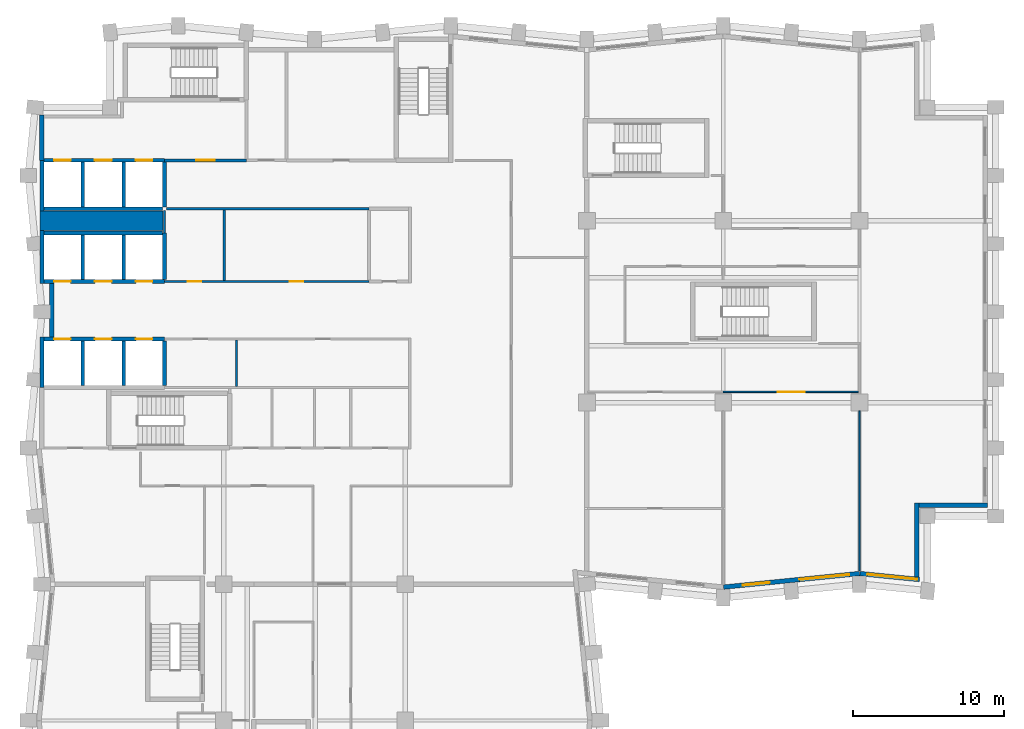
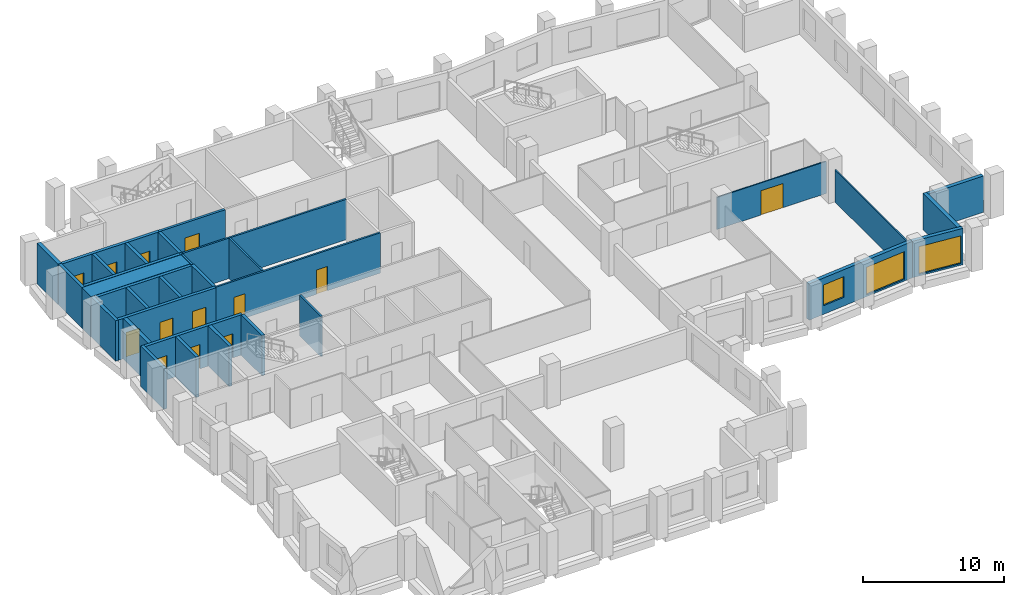
# One storey, part 5 of 10: 32 walls, 13 doors, 3 windows, 16 openings.
"""IFC4 building model written with IfcOpenShell, lengths in metres."""

from ifc_helpers import new_model, si_unit, direction, frame, frame_2d, origin, place, context, subcontext, project, spatial, rectangle, extrude, material, layer, layer_set, type_object, element, fill, save


model = new_model("IFC4")

# Units and contexts
model_context = context("Model", 3, precision=1e-05, world=origin(), true_north=direction((0.0, 1.0)))
body_context = subcontext(model_context, "Body", "Model", "MODEL_VIEW")
ifc_project = project(units=[si_unit("LENGTHUNIT", "METRE"), si_unit("AREAUNIT", "SQUARE_METRE"), si_unit("VOLUMEUNIT", "CUBIC_METRE"), si_unit("PLANEANGLEUNIT", "RADIAN"), si_unit("MASSUNIT", "GRAM", prefix="KILO")], contexts=[model_context])

# Site, building, storey
site_placement = place(None, origin())
site = spatial("IfcSite", under=ifc_project, at=site_placement, CompositionType="ELEMENT")
building_placement = place(site_placement, origin())
building = spatial("IfcBuilding", under=site, at=building_placement, Name="Brondeck Convention Tower", CompositionType="ELEMENT")
storey_placement = place(building_placement, frame((0.0, 0.0, 185.199951171875)))
storey = spatial("IfcBuildingStorey", under=building, at=storey_placement, Name="L45", CompositionType="ELEMENT", Elevation=185.199951171875)

# Walls
ifc_material_1 = material(Name="Concrete C70/85", Category="concrete")
ifc_layer_1 = layer(ifc_material_1, 0.300048828125)
ifc_layer_set_1 = layer_set([ifc_layer_1], Name="Core outer wall 300 Concrete C70/85")
wall_type_1 = type_object("IfcWallType", Name="Core outer wall 300 Concrete C70/85", PredefinedType="SHEAR", material=ifc_layer_set_1)
wall_1_placement = place(storey_placement, frame((0.0, 55.0, 0.0), z_axis=(0.0, 0.0, 1.0), x_axis=(0.0, 1.0, 0.0)))
element("IfcWall", 1, at=wall_1_placement, inside=storey, type_object=wall_type_1, Name="L45 core wall", PredefinedType="SHEAR", context=body_context, shape_type="SweptSolid", body=[
    extrude(rectangle(XDim=3.0, YDim=0.300048828125, at=frame_2d((1.5, 0.0))), origin(), (0.0, 0.0, 1.0), 3.5),
])
wall_2_placement = place(storey_placement, frame((0.64990234375, 43.324951171875, 0.0), z_axis=(0.0, 0.0, 1.0), x_axis=(0.0, 1.0, 0.0)))
element("IfcWall", 2, at=wall_2_placement, inside=storey, type_object=wall_type_1, Name="L45 core wall", PredefinedType="SHEAR", context=body_context, shape_type="SweptSolid", body=[
    extrude(rectangle(XDim=3.550048828125, YDim=0.300048828125, at=frame_2d((1.77490234375, 0.0))), origin(), (0.0, 0.0, 1.0), 3.5),
])

# Wall, openings, doors
ifc_material_2 = material(Name="Fire-rated gypsum board partition")
ifc_layer_2 = layer(ifc_material_2, 0.14990234375)
ifc_layer_set_2 = layer_set([ifc_layer_2], Name="Core partition 150 EI 60")
wall_type_2 = type_object("IfcWallType", Name="Core partition 150 EI 60", PredefinedType="PARTITIONING", material=ifc_layer_set_2)
wall_3_placement = place(storey_placement, frame((8.10009765625, 47.0, 0.0), z_axis=(0.0, 0.0, 1.0), x_axis=(1.0, 0.0, 0.0)))
wall_3 = element("IfcWall", 3, at=wall_3_placement, inside=storey, type_object=wall_type_2, Name="L45 core wall", PredefinedType="PARTITIONING", context=body_context, shape_type="SweptSolid", body=[
    extrude(rectangle(XDim=13.5, YDim=0.14990234375, at=frame_2d((6.75, 0.0))), origin(), (0.0, 0.0, 1.0), 3.5),
])
opening_1_placement = place(wall_3_placement, frame((1.52490234375, 0.0, 0.0)))
opening_1 = element("IfcOpeningElement", 4, at=opening_1_placement, cuts=wall_3, Name="Opening C25-08", PredefinedType="OPENING", context=body_context, shape_type="SweptSolid", body=[
    extrude(rectangle(XDim=0.89990234375, YDim=2.10009765625, at=frame_2d((0.449951171875, 1.050048828125))), frame((0.0, 0.0849609375, 0.0), z_axis=(0.0, -1.0, 0.0), x_axis=(1.0, 0.0, 0.0)), (0.0, 0.0, 1.0), 0.169921875),
])
opening_2_placement = place(wall_3_placement, frame((8.27490234375, 0.0, 0.0)))
opening_2 = element("IfcOpeningElement", 5, at=opening_2_placement, cuts=wall_3, Name="Opening C25-09", PredefinedType="OPENING", context=body_context, shape_type="SweptSolid", body=[
    extrude(rectangle(XDim=0.89990234375, YDim=2.10009765625, at=frame_2d((0.449951171875, 1.050048828125))), frame((0.0, 0.0849609375, 0.0), z_axis=(0.0, -1.0, 0.0), x_axis=(1.0, 0.0, 0.0)), (0.0, 0.0, 1.0), 0.169921875),
])
ifc_material_3 = material(Name="Steel fire door", Category="steel")
door_type_1 = type_object("IfcDoorType", Name="Room door 900x2100 EI 60", OperationType="NOTDEFINED", PredefinedType="DOOR", material=ifc_material_3)
door_1_placement = place(opening_1_placement, origin())
door_1 = element("IfcDoor", 6, at=door_1_placement, inside=storey, type_object=door_type_1, Name="L45 Room door FZ-N-8.1-1", OperationType="SINGLE_SWING_LEFT", OverallHeight=2.10009765625, OverallWidth=0.89990234375, PredefinedType="DOOR", context=body_context, shape_type="SweptSolid", body=[
    extrude(rectangle(XDim=0.89990234375, YDim=2.10009765625, at=frame_2d((0.449951171875, 1.050048828125))), frame((0.0, 0.02490234375, 0.0), z_axis=(0.0, -1.0, 0.0), x_axis=(1.0, 0.0, 0.0)), (0.0, 0.0, 1.0), 0.050048828125),
])
fill(opening_1, door_1)
door_2_placement = place(opening_2_placement, origin())
door_2 = element("IfcDoor", 7, at=door_2_placement, inside=storey, type_object=door_type_1, Name="L45 Room door FZ-N-8.1-2", OperationType="SINGLE_SWING_RIGHT", OverallHeight=2.10009765625, OverallWidth=0.89990234375, PredefinedType="DOOR", context=body_context, shape_type="SweptSolid", body=[
    extrude(rectangle(XDim=0.89990234375, YDim=2.10009765625, at=frame_2d((0.449951171875, 1.050048828125))), frame((0.0, 0.02490234375, 0.0), z_axis=(0.0, -1.0, 0.0), x_axis=(1.0, 0.0, 0.0)), (0.0, 0.0, 1.0), 0.050048828125),
])
fill(opening_2, door_2)

# Walls
wall_4_placement = place(storey_placement, frame((8.22509765625, 51.800048828125, 0.0), z_axis=(0.0, 0.0, 1.0), x_axis=(1.0, 0.0, 0.0)))
element("IfcWall", 8, at=wall_4_placement, inside=storey, type_object=wall_type_2, Name="L45 core wall", PredefinedType="PARTITIONING", context=body_context, shape_type="SweptSolid", body=[
    extrude(rectangle(XDim=13.375, YDim=0.14990234375, at=frame_2d((6.6875, 0.0))), origin(), (0.0, 0.0, 1.0), 3.5),
])
wall_5_placement = place(storey_placement, frame((8.10009765625, 50.199951171875, 0.0), z_axis=(0.0, 0.0, 1.0), x_axis=(0.0, 1.0, 0.0)))
element("IfcWall", 9, at=wall_5_placement, inside=storey, type_object=wall_type_2, Name="L45 core wall", PredefinedType="PARTITIONING", context=body_context, shape_type="SweptSolid", body=[
    extrude(rectangle(XDim=1.47509765625, YDim=0.14990234375, at=frame_2d((0.737548828125, 0.0))), origin(), (0.0, 0.0, 1.0), 3.5),
])
wall_6_placement = place(storey_placement, frame((12.050048828125, 47.074951171875, 0.0), z_axis=(0.0, 0.0, 1.0), x_axis=(0.0, 1.0, 0.0)))
element("IfcWall", 10, at=wall_6_placement, inside=storey, type_object=wall_type_2, Name="L45 core wall", PredefinedType="PARTITIONING", context=body_context, shape_type="SweptSolid", body=[
    extrude(rectangle(XDim=4.650146484375, YDim=0.14990234375, at=frame_2d((2.3251953125, 0.0))), origin(), (0.0, 0.0, 1.0), 3.5),
])
wall_7_placement = place(storey_placement, frame((12.85009765625, 40.074951171875, 0.0), z_axis=(0.0, 0.0, 1.0), x_axis=(0.0, 1.0, 0.0)))
element("IfcWall", 11, at=wall_7_placement, inside=storey, type_object=wall_type_2, Name="L45 core wall", PredefinedType="PARTITIONING", context=body_context, shape_type="SweptSolid", body=[
    extrude(rectangle(XDim=3.050048828125, YDim=0.14990234375, at=frame_2d((1.52490234375, 0.0))), origin(), (0.0, 0.0, 1.0), 3.5),
])
ifc_layer_3 = layer(ifc_material_1, 1.300048828125)
ifc_layer_set_3 = layer_set([ifc_layer_3], Name="Core shear wall 1300 Concrete C70/85")
wall_type_3 = type_object("IfcWallType", Name="Core shear wall 1300 Concrete C70/85", PredefinedType="SHEAR", material=ifc_layer_set_3)
wall_8_placement = place(storey_placement, frame((-0.125, 51.0, 0.0), z_axis=(0.0, 0.0, 1.0), x_axis=(1.0, 0.0, 0.0)))
element("IfcWall", 12, at=wall_8_placement, inside=storey, type_object=wall_type_3, Name="L45 core wall", PredefinedType="SHEAR", context=body_context, shape_type="SweptSolid", body=[
    extrude(rectangle(XDim=8.125, YDim=1.300048828125, at=frame_2d((4.0625, 0.0))), origin(), (0.0, 0.0, 1.0), 3.5),
])

# Wall, openings, windows
ifc_material_4 = material(Name="Precast concrete C50/60 bronze finish", Category="concrete")
ifc_layer_4 = layer(ifc_material_4, 0.070068359375, Name="Bronze precast facing")
ifc_material_5 = material(Name="Mineral wool")
ifc_layer_5 = layer(ifc_material_5, 0.159912109375, Name="Insulation")
ifc_material_6 = material(Name="Concrete C35/45", Category="concrete")
ifc_layer_6 = layer(ifc_material_6, 0.070068359375, Name="Backing")
ifc_layer_set_4 = layer_set([ifc_layer_4, ifc_layer_5, ifc_layer_6], Name="External infill wall, precast concrete C50/60 bronze facing")
wall_type_4 = type_object("IfcWallType", Name="External infill wall, precast concrete C50/60 bronze facing", PredefinedType="SOLIDWALL", material=ifc_layer_set_4)
wall_9_placement = place(storey_placement, frame((54.014892578125, 27.705078125, 0.0), z_axis=(0.0, 0.0, 1.0), x_axis=(-0.995035316196, -0.099522457379, 0.0)))
wall_9 = element("IfcWall", 13, at=wall_9_placement, inside=storey, type_object=wall_type_4, Name="ENV-EW-L45-P1-A-S-02", PredefinedType="SOLIDWALL", context=body_context, shape_type="SweptSolid", body=[
    extrude(rectangle(XDim=9.030029296875, YDim=0.300048828125, at=frame_2d((4.51513671875, 0.0))), origin(), (0.0, 0.0, 1.0), 3.150146484375),
])
opening_3_placement = place(wall_9_placement, frame((0.6962890625, 0.0, 0.14990234375)))
opening_3 = element("IfcOpeningElement", 14, at=opening_3_placement, cuts=wall_9, Name="Opening W9", PredefinedType="OPENING", context=body_context, shape_type="SweptSolid", body=[
    extrude(rectangle(XDim=3.300048828125, YDim=2.39990234375, at=frame_2d((1.64990234375, 1.199951171875))), frame((0.0, 0.159912109375, 0.0), z_axis=(0.0, -1.0, 0.0), x_axis=(1.0, 0.0, 0.0)), (0.0, 0.0, 1.0), 0.320068359375),
])
opening_4_placement = place(wall_9_placement, frame((5.968505859375, 0.0, 0.75)))
opening_4 = element("IfcOpeningElement", 15, at=opening_4_placement, cuts=wall_9, Name="Opening W10", PredefinedType="OPENING", context=body_context, shape_type="SweptSolid", body=[
    extrude(rectangle(XDim=1.800048828125, YDim=1.800048828125, at=frame_2d((0.89990234375, 0.89990234375))), frame((0.0, 0.159912109375, 0.0), z_axis=(0.0, -1.0, 0.0), x_axis=(1.0, 0.0, 0.0)), (0.0, 0.0, 1.0), 0.320068359375),
])
ifc_material_7 = material(Name="Bronze tinted double glazing", Category="glass")
window_type_1 = type_object("IfcWindowType", Name="Glazed flute window, bronze tinted", PartitioningType="SINGLE_PANEL", PredefinedType="WINDOW", material=ifc_material_7)
window_1_placement = place(opening_3_placement, origin())
window_1 = element("IfcWindow", 16, at=window_1_placement, inside=storey, type_object=window_type_1, Name="ENV-WN-L45-P1-A-S-03", OverallHeight=2.39990234375, OverallWidth=3.300048828125, PartitioningType="SINGLE_PANEL", PredefinedType="WINDOW", context=body_context, shape_type="SweptSolid", body=[
    extrude(rectangle(XDim=3.300048828125, YDim=2.39990234375, at=frame_2d((1.64990234375, 1.199951171875))), frame((0.0, 0.030029296875, 0.0), z_axis=(0.0, -1.0, 0.0), x_axis=(1.0, 0.0, 0.0)), (0.0, 0.0, 1.0), 0.06005859375),
])
fill(opening_3, window_1)
window_type_2 = type_object("IfcWindowType", Name="Punched window, bronze tinted", PartitioningType="SINGLE_PANEL", PredefinedType="WINDOW", material=ifc_material_7)
window_2_placement = place(opening_4_placement, origin())
window_2 = element("IfcWindow", 17, at=window_2_placement, inside=storey, type_object=window_type_2, Name="ENV-WN-L45-P1-A-S-02", OverallHeight=1.800048828125, OverallWidth=1.800048828125, PartitioningType="SINGLE_PANEL", PredefinedType="WINDOW", context=body_context, shape_type="SweptSolid", body=[
    extrude(rectangle(XDim=1.800048828125, YDim=1.800048828125, at=frame_2d((0.89990234375, 0.89990234375))), frame((0.0, 0.030029296875, 0.0), z_axis=(0.0, -1.0, 0.0), x_axis=(1.0, 0.0, 0.0)), (0.0, 0.0, 1.0), 0.06005859375),
])
fill(opening_4, window_2)

# Wall, opening, window
wall_10_placement = place(storey_placement, frame((57.96484375, 27.306884765625, 0.0), z_axis=(0.0, 0.0, 1.0), x_axis=(-0.99503596767, 0.099515943658, 0.0)))
wall_10 = element("IfcWall", 18, at=wall_10_placement, inside=storey, type_object=wall_type_4, Name="ENV-EW-L45-P1-A-S-04", PredefinedType="SOLIDWALL", context=body_context, shape_type="SweptSolid", body=[
    extrude(rectangle(XDim=3.95458984375, YDim=0.300048828125, at=frame_2d((1.977294921875, 0.0))), origin(), (0.0, 0.0, 1.0), 3.150146484375),
])
opening_5_placement = place(wall_10_placement, frame((0.14990234375, 0.0, 0.14990234375)))
opening_5 = element("IfcOpeningElement", 19, at=opening_5_placement, cuts=wall_10, Name="Opening W9", PredefinedType="OPENING", context=body_context, shape_type="SweptSolid", body=[
    extrude(rectangle(XDim=3.300048828125, YDim=2.39990234375, at=frame_2d((1.64990234375, 1.199951171875))), frame((0.0, 0.159912109375, 0.0), z_axis=(0.0, -1.0, 0.0), x_axis=(1.0, 0.0, 0.0)), (0.0, 0.0, 1.0), 0.320068359375),
])
window_3_placement = place(opening_5_placement, origin())
window_3 = element("IfcWindow", 20, at=window_3_placement, inside=storey, type_object=window_type_1, Name="ENV-WN-L45-P1-A-S-04", OverallHeight=2.39990234375, OverallWidth=3.300048828125, PartitioningType="SINGLE_PANEL", PredefinedType="WINDOW", context=body_context, shape_type="SweptSolid", body=[
    extrude(rectangle(XDim=3.300048828125, YDim=2.39990234375, at=frame_2d((1.64990234375, 1.199951171875))), frame((0.0, 0.030029296875, 0.0), z_axis=(0.0, -1.0, 0.0), x_axis=(1.0, 0.0, 0.0)), (0.0, 0.0, 1.0), 0.06005859375),
])
fill(opening_5, window_3)

# Walls
wall_11_placement = place(storey_placement, frame((57.800048828125, 32.35009765625, 0.0), z_axis=(0.0, 0.0, 1.0), x_axis=(0.0, -1.0, 0.0)))
element("IfcWall", 21, at=wall_11_placement, inside=storey, type_object=wall_type_4, Name="ENV-EW-L45-P1-NC-SEA63-01", PredefinedType="SOLIDWALL", context=body_context, shape_type="SweptSolid", body=[
    extrude(rectangle(XDim=4.87060546875, YDim=0.300048828125, at=frame_2d((2.435302734375, 0.0))), origin(), (0.0, 0.0, 1.0), 3.150146484375),
])
wall_12_placement = place(storey_placement, frame((62.449951171875, 32.199951171875, 0.0), z_axis=(0.0, 0.0, 1.0), x_axis=(-1.0, 0.0, 0.0)))
element("IfcWall", 22, at=wall_12_placement, inside=storey, type_object=wall_type_4, Name="ENV-EW-L45-P1-NC-SEA63-02", PredefinedType="SOLIDWALL", context=body_context, shape_type="SweptSolid", body=[
    extrude(rectangle(XDim=4.501953125, YDim=0.300048828125, at=frame_2d((2.2509765625, 0.0))), origin(), (0.0, 0.0, 1.0), 3.150146484375),
])

# Wall, opening, door
ifc_layer_7 = layer(ifc_material_2, 0.199951171875)
ifc_layer_set_5 = layer_set([ifc_layer_7], Name="Firefighting lobby wall 200 EI 120")
wall_type_5 = type_object("IfcWallType", Name="Firefighting lobby wall 200 EI 120", PredefinedType="PARTITIONING", material=ifc_layer_set_5)
wall_13_placement = place(storey_placement, frame((8.10009765625, 55.0, 0.0), z_axis=(0.0, 0.0, 1.0), x_axis=(1.0, 0.0, 0.0)))
wall_13 = element("IfcWall", 23, at=wall_13_placement, inside=storey, type_object=wall_type_5, Name="L45 core wall", PredefinedType="PARTITIONING", context=body_context, shape_type="SweptSolid", body=[
    extrude(rectangle(XDim=5.39990234375, YDim=0.199951171875, at=frame_2d((2.699951171875, 0.0))), origin(), (0.0, 0.0, 1.0), 3.5),
])
opening_6_placement = place(wall_13_placement, frame((2.10009765625, 0.0, 0.0)))
opening_6 = element("IfcOpeningElement", 24, at=opening_6_placement, cuts=wall_13, Name="Opening C25-01", PredefinedType="OPENING", context=body_context, shape_type="SweptSolid", body=[
    extrude(rectangle(XDim=1.199951171875, YDim=2.199951171875, at=frame_2d((0.60009765625, 1.10009765625))), frame((0.0, 0.10986328125, 0.0), z_axis=(0.0, -1.0, 0.0), x_axis=(1.0, 0.0, 0.0)), (0.0, 0.0, 1.0), 0.219970703125),
])
door_type_2 = type_object("IfcDoorType", Name="Firefighting lobby door 1200x2200 EI 120", OperationType="NOTDEFINED", PredefinedType="DOOR", material=ifc_material_3)
door_3_placement = place(opening_6_placement, origin())
door_3 = element("IfcDoor", 25, at=door_3_placement, inside=storey, type_object=door_type_2, Name="L45 Firefighting lobby door FFL-1", OperationType="SINGLE_SWING_RIGHT", OverallHeight=2.199951171875, OverallWidth=1.199951171875, PredefinedType="DOOR", context=body_context, shape_type="SweptSolid", body=[
    extrude(rectangle(XDim=1.199951171875, YDim=2.199951171875, at=frame_2d((0.60009765625, 1.10009765625))), frame((0.0, 0.02490234375, 0.0), z_axis=(0.0, -1.0, 0.0), x_axis=(1.0, 0.0, 0.0)), (0.0, 0.0, 1.0), 0.050048828125),
])
fill(opening_6, door_3)

# Wall, openings, doors
ifc_layer_8 = layer(ifc_material_1, 0.25)
ifc_layer_set_6 = layer_set([ifc_layer_8], Name="Lift shaft wall 250 Concrete C70/85")
wall_type_6 = type_object("IfcWallType", Name="Lift shaft wall 250 Concrete C70/85", PredefinedType="SHEAR", material=ifc_layer_set_6)
wall_14_placement = place(storey_placement, frame((0.125, 43.199951171875, 0.0), z_axis=(0.0, 0.0, 1.0), x_axis=(1.0, 0.0, 0.0)))
wall_14 = element("IfcWall", 26, at=wall_14_placement, inside=storey, type_object=wall_type_6, Name="L45 core wall", PredefinedType="SHEAR", context=body_context, shape_type="SweptSolid", body=[
    extrude(rectangle(XDim=7.97509765625, YDim=0.25, at=frame_2d((3.987548828125, 0.0))), origin(), (0.0, 0.0, 1.0), 3.5),
])
opening_7_placement = place(wall_14_placement, frame((0.675048828125, 0.0, 0.0)))
opening_7 = element("IfcOpeningElement", 27, at=opening_7_placement, cuts=wall_14, Name="Opening C25-24", PredefinedType="OPENING", context=body_context, shape_type="SweptSolid", body=[
    extrude(rectangle(XDim=1.10009765625, YDim=2.10009765625, at=frame_2d((0.550048828125, 1.050048828125))), frame((0.0, 0.135009765625, 0.0), z_axis=(0.0, -1.0, 0.0), x_axis=(1.0, 0.0, 0.0)), (0.0, 0.0, 1.0), 0.27001953125),
])
opening_8_placement = place(wall_14_placement, frame((3.375, 0.0, 0.0)))
opening_8 = element("IfcOpeningElement", 28, at=opening_8_placement, cuts=wall_14, Name="Opening C25-25", PredefinedType="OPENING", context=body_context, shape_type="SweptSolid", body=[
    extrude(rectangle(XDim=1.10009765625, YDim=2.10009765625, at=frame_2d((0.550048828125, 1.050048828125))), frame((0.0, 0.135009765625, 0.0), z_axis=(0.0, -1.0, 0.0), x_axis=(1.0, 0.0, 0.0)), (0.0, 0.0, 1.0), 0.27001953125),
])
opening_9_placement = place(wall_14_placement, frame((6.074951171875, 0.0, 0.0)))
opening_9 = element("IfcOpeningElement", 29, at=opening_9_placement, cuts=wall_14, Name="Opening C25-26", PredefinedType="OPENING", context=body_context, shape_type="SweptSolid", body=[
    extrude(rectangle(XDim=1.10009765625, YDim=2.10009765625, at=frame_2d((0.550048828125, 1.050048828125))), frame((0.0, 0.135009765625, 0.0), z_axis=(0.0, -1.0, 0.0), x_axis=(1.0, 0.0, 0.0)), (0.0, 0.0, 1.0), 0.27001953125),
])
ifc_material_8 = material(Name="Stainless steel lift door", Category="steel")
door_type_3 = type_object("IfcDoorType", Name="Lift landing door 1100x2100 EI 180", OperationType="DOUBLE_DOOR_SLIDING", PredefinedType="DOOR", material=ifc_material_8)
door_4_placement = place(opening_7_placement, origin())
door_4 = element("IfcDoor", 30, at=door_4_placement, inside=storey, type_object=door_type_3, Name="L45 Lift landing door HR1", OperationType="DOUBLE_DOOR_SLIDING", OverallHeight=2.10009765625, OverallWidth=1.10009765625, PredefinedType="DOOR", context=body_context, shape_type="SweptSolid", body=[
    extrude(rectangle(XDim=1.10009765625, YDim=2.10009765625, at=frame_2d((0.550048828125, 1.050048828125))), frame((0.0, 0.02490234375, 0.0), z_axis=(0.0, -1.0, 0.0), x_axis=(1.0, 0.0, 0.0)), (0.0, 0.0, 1.0), 0.050048828125),
])
fill(opening_7, door_4)
door_5_placement = place(opening_8_placement, origin())
door_5 = element("IfcDoor", 31, at=door_5_placement, inside=storey, type_object=door_type_3, Name="L45 Lift landing door HR2", OperationType="DOUBLE_DOOR_SLIDING", OverallHeight=2.10009765625, OverallWidth=1.10009765625, PredefinedType="DOOR", context=body_context, shape_type="SweptSolid", body=[
    extrude(rectangle(XDim=1.10009765625, YDim=2.10009765625, at=frame_2d((0.550048828125, 1.050048828125))), frame((0.0, 0.02490234375, 0.0), z_axis=(0.0, -1.0, 0.0), x_axis=(1.0, 0.0, 0.0)), (0.0, 0.0, 1.0), 0.050048828125),
])
fill(opening_8, door_5)
door_6_placement = place(opening_9_placement, origin())
door_6 = element("IfcDoor", 32, at=door_6_placement, inside=storey, type_object=door_type_3, Name="L45 Lift landing door HR3", OperationType="DOUBLE_DOOR_SLIDING", OverallHeight=2.10009765625, OverallWidth=1.10009765625, PredefinedType="DOOR", context=body_context, shape_type="SweptSolid", body=[
    extrude(rectangle(XDim=1.10009765625, YDim=2.10009765625, at=frame_2d((0.550048828125, 1.050048828125))), frame((0.0, 0.02490234375, 0.0), z_axis=(0.0, -1.0, 0.0), x_axis=(1.0, 0.0, 0.0)), (0.0, 0.0, 1.0), 0.050048828125),
])
fill(opening_9, door_6)

wall_15_placement = place(storey_placement, frame((0.125, 47.0, 0.0), z_axis=(0.0, 0.0, 1.0), x_axis=(1.0, 0.0, 0.0)))
wall_15 = element("IfcWall", 33, at=wall_15_placement, inside=storey, type_object=wall_type_6, Name="L45 core wall", PredefinedType="SHEAR", context=body_context, shape_type="SweptSolid", body=[
    extrude(rectangle(XDim=7.97509765625, YDim=0.25, at=frame_2d((3.987548828125, 0.0))), origin(), (0.0, 0.0, 1.0), 3.5),
])
opening_10_placement = place(wall_15_placement, frame((0.675048828125, 0.0, 0.0)))
opening_10 = element("IfcOpeningElement", 34, at=opening_10_placement, cuts=wall_15, Name="Opening C25-27", PredefinedType="OPENING", context=body_context, shape_type="SweptSolid", body=[
    extrude(rectangle(XDim=1.10009765625, YDim=2.10009765625, at=frame_2d((0.550048828125, 1.050048828125))), frame((0.0, 0.135009765625, 0.0), z_axis=(0.0, -1.0, 0.0), x_axis=(1.0, 0.0, 0.0)), (0.0, 0.0, 1.0), 0.27001953125),
])
opening_11_placement = place(wall_15_placement, frame((3.375, 0.0, 0.0)))
opening_11 = element("IfcOpeningElement", 35, at=opening_11_placement, cuts=wall_15, Name="Opening C25-28", PredefinedType="OPENING", context=body_context, shape_type="SweptSolid", body=[
    extrude(rectangle(XDim=1.10009765625, YDim=2.10009765625, at=frame_2d((0.550048828125, 1.050048828125))), frame((0.0, 0.135009765625, 0.0), z_axis=(0.0, -1.0, 0.0), x_axis=(1.0, 0.0, 0.0)), (0.0, 0.0, 1.0), 0.27001953125),
])
opening_12_placement = place(wall_15_placement, frame((6.074951171875, 0.0, 0.0)))
opening_12 = element("IfcOpeningElement", 36, at=opening_12_placement, cuts=wall_15, Name="Opening C25-29", PredefinedType="OPENING", context=body_context, shape_type="SweptSolid", body=[
    extrude(rectangle(XDim=1.10009765625, YDim=2.10009765625, at=frame_2d((0.550048828125, 1.050048828125))), frame((0.0, 0.135009765625, 0.0), z_axis=(0.0, -1.0, 0.0), x_axis=(1.0, 0.0, 0.0)), (0.0, 0.0, 1.0), 0.27001953125),
])
door_7_placement = place(opening_10_placement, origin())
door_7 = element("IfcDoor", 37, at=door_7_placement, inside=storey, type_object=door_type_3, Name="L45 Lift landing door HR4", OperationType="DOUBLE_DOOR_SLIDING", OverallHeight=2.10009765625, OverallWidth=1.10009765625, PredefinedType="DOOR", context=body_context, shape_type="SweptSolid", body=[
    extrude(rectangle(XDim=1.10009765625, YDim=2.10009765625, at=frame_2d((0.550048828125, 1.050048828125))), frame((0.0, 0.02490234375, 0.0), z_axis=(0.0, -1.0, 0.0), x_axis=(1.0, 0.0, 0.0)), (0.0, 0.0, 1.0), 0.050048828125),
])
fill(opening_10, door_7)
door_8_placement = place(opening_11_placement, origin())
door_8 = element("IfcDoor", 38, at=door_8_placement, inside=storey, type_object=door_type_3, Name="L45 Lift landing door HR5", OperationType="DOUBLE_DOOR_SLIDING", OverallHeight=2.10009765625, OverallWidth=1.10009765625, PredefinedType="DOOR", context=body_context, shape_type="SweptSolid", body=[
    extrude(rectangle(XDim=1.10009765625, YDim=2.10009765625, at=frame_2d((0.550048828125, 1.050048828125))), frame((0.0, 0.02490234375, 0.0), z_axis=(0.0, -1.0, 0.0), x_axis=(1.0, 0.0, 0.0)), (0.0, 0.0, 1.0), 0.050048828125),
])
fill(opening_11, door_8)
door_9_placement = place(opening_12_placement, origin())
door_9 = element("IfcDoor", 39, at=door_9_placement, inside=storey, type_object=door_type_3, Name="L45 Lift landing door HR6", OperationType="DOUBLE_DOOR_SLIDING", OverallHeight=2.10009765625, OverallWidth=1.10009765625, PredefinedType="DOOR", context=body_context, shape_type="SweptSolid", body=[
    extrude(rectangle(XDim=1.10009765625, YDim=2.10009765625, at=frame_2d((0.550048828125, 1.050048828125))), frame((0.0, 0.02490234375, 0.0), z_axis=(0.0, -1.0, 0.0), x_axis=(1.0, 0.0, 0.0)), (0.0, 0.0, 1.0), 0.050048828125),
])
fill(opening_12, door_9)

# Walls
for number, where, z_axis, x_axis, name in (
    (40, (0.125, 50.199951171875, 0.0), (0.0, 0.0, 1.0), (1.0, 0.0, 0.0), "L45 core wall"),
    (41, (0.125, 51.800048828125, 0.0), (0.0, 0.0, 1.0), (1.0, 0.0, 0.0), "L45 core wall"),
):
    element("IfcWall", number, at=place(storey_placement, frame(where, z_axis=z_axis, x_axis=x_axis)), inside=storey, type_object=wall_type_6, Name=name, PredefinedType="SHEAR", context=body_context, shape_type="SweptSolid", body=[
        extrude(rectangle(XDim=7.85009765625, YDim=0.25, at=frame_2d((3.925048828125, 0.0))), origin(), (0.0, 0.0, 1.0), 3.5),
    ])

# Wall, openings, doors
wall_16_placement = place(storey_placement, frame((0.14990234375, 55.0, 0.0), z_axis=(0.0, 0.0, 1.0), x_axis=(1.0, 0.0, 0.0)))
wall_16 = element("IfcWall", 42, at=wall_16_placement, inside=storey, type_object=wall_type_6, Name="L45 core wall", PredefinedType="SHEAR", context=body_context, shape_type="SweptSolid", body=[
    extrude(rectangle(XDim=7.9501953125, YDim=0.25, at=frame_2d((3.97509765625, 0.0))), origin(), (0.0, 0.0, 1.0), 3.5),
])
opening_13_placement = place(wall_16_placement, frame((0.64990234375, 0.0, 0.0)))
opening_13 = element("IfcOpeningElement", 43, at=opening_13_placement, cuts=wall_16, Name="Opening C25-21", PredefinedType="OPENING", context=body_context, shape_type="SweptSolid", body=[
    extrude(rectangle(XDim=1.10009765625, YDim=2.10009765625, at=frame_2d((0.550048828125, 1.050048828125))), frame((0.0, 0.135009765625, 0.0), z_axis=(0.0, -1.0, 0.0), x_axis=(1.0, 0.0, 0.0)), (0.0, 0.0, 1.0), 0.27001953125),
])
opening_14_placement = place(wall_16_placement, frame((3.35009765625, 0.0, 0.0)))
opening_14 = element("IfcOpeningElement", 44, at=opening_14_placement, cuts=wall_16, Name="Opening C25-22", PredefinedType="OPENING", context=body_context, shape_type="SweptSolid", body=[
    extrude(rectangle(XDim=1.10009765625, YDim=2.10009765625, at=frame_2d((0.550048828125, 1.050048828125))), frame((0.0, 0.135009765625, 0.0), z_axis=(0.0, -1.0, 0.0), x_axis=(1.0, 0.0, 0.0)), (0.0, 0.0, 1.0), 0.27001953125),
])
opening_15_placement = place(wall_16_placement, frame((6.050048828125, 0.0, 0.0)))
opening_15 = element("IfcOpeningElement", 45, at=opening_15_placement, cuts=wall_16, Name="Opening C25-23", PredefinedType="OPENING", context=body_context, shape_type="SweptSolid", body=[
    extrude(rectangle(XDim=1.10009765625, YDim=2.10009765625, at=frame_2d((0.550048828125, 1.050048828125))), frame((0.0, 0.135009765625, 0.0), z_axis=(0.0, -1.0, 0.0), x_axis=(1.0, 0.0, 0.0)), (0.0, 0.0, 1.0), 0.27001953125),
])
door_10_placement = place(opening_13_placement, origin())
door_10 = element("IfcDoor", 46, at=door_10_placement, inside=storey, type_object=door_type_3, Name="L45 Lift landing door FF1", OperationType="DOUBLE_DOOR_SLIDING", OverallHeight=2.10009765625, OverallWidth=1.10009765625, PredefinedType="DOOR", context=body_context, shape_type="SweptSolid", body=[
    extrude(rectangle(XDim=1.10009765625, YDim=2.10009765625, at=frame_2d((0.550048828125, 1.050048828125))), frame((0.0, 0.02490234375, 0.0), z_axis=(0.0, -1.0, 0.0), x_axis=(1.0, 0.0, 0.0)), (0.0, 0.0, 1.0), 0.050048828125),
])
fill(opening_13, door_10)
door_11_placement = place(opening_14_placement, origin())
door_11 = element("IfcDoor", 47, at=door_11_placement, inside=storey, type_object=door_type_3, Name="L45 Lift landing door FF2", OperationType="DOUBLE_DOOR_SLIDING", OverallHeight=2.10009765625, OverallWidth=1.10009765625, PredefinedType="DOOR", context=body_context, shape_type="SweptSolid", body=[
    extrude(rectangle(XDim=1.10009765625, YDim=2.10009765625, at=frame_2d((0.550048828125, 1.050048828125))), frame((0.0, 0.02490234375, 0.0), z_axis=(0.0, -1.0, 0.0), x_axis=(1.0, 0.0, 0.0)), (0.0, 0.0, 1.0), 0.050048828125),
])
fill(opening_14, door_11)
door_12_placement = place(opening_15_placement, origin())
door_12 = element("IfcDoor", 48, at=door_12_placement, inside=storey, type_object=door_type_3, Name="L45 Lift landing door FF3", OperationType="DOUBLE_DOOR_SLIDING", OverallHeight=2.10009765625, OverallWidth=1.10009765625, PredefinedType="DOOR", context=body_context, shape_type="SweptSolid", body=[
    extrude(rectangle(XDim=1.10009765625, YDim=2.10009765625, at=frame_2d((0.550048828125, 1.050048828125))), frame((0.0, 0.02490234375, 0.0), z_axis=(0.0, -1.0, 0.0), x_axis=(1.0, 0.0, 0.0)), (0.0, 0.0, 1.0), 0.050048828125),
])
fill(opening_15, door_12)

# Walls
wall_17_placement = place(storey_placement, frame((0.0, 40.0, 0.0), z_axis=(0.0, 0.0, 1.0), x_axis=(0.0, 1.0, 0.0)))
element("IfcWall", 49, at=wall_17_placement, inside=storey, type_object=wall_type_6, Name="L45 core wall", PredefinedType="SHEAR", context=body_context, shape_type="SweptSolid", body=[
    extrude(rectangle(XDim=3.324951171875, YDim=0.25, at=frame_2d((1.66259765625, 0.0))), origin(), (0.0, 0.0, 1.0), 3.5),
])
wall_18_placement = place(storey_placement, frame((0.0, 46.875, 0.0), z_axis=(0.0, 0.0, 1.0), x_axis=(0.0, 1.0, 0.0)))
element("IfcWall", 50, at=wall_18_placement, inside=storey, type_object=wall_type_6, Name="L45 core wall", PredefinedType="SHEAR", context=body_context, shape_type="SweptSolid", body=[
    extrude(rectangle(XDim=3.47509765625, YDim=0.25, at=frame_2d((1.737548828125, 0.0))), origin(), (0.0, 0.0, 1.0), 3.5),
])
wall_19_placement = place(storey_placement, frame((0.0, 51.64990234375, 0.0), z_axis=(0.0, 0.0, 1.0), x_axis=(0.0, 1.0, 0.0)))
element("IfcWall", 51, at=wall_19_placement, inside=storey, type_object=wall_type_6, Name="L45 core wall", PredefinedType="SHEAR", context=body_context, shape_type="SweptSolid", body=[
    extrude(rectangle(XDim=3.35009765625, YDim=0.25, at=frame_2d((1.675048828125, 0.0))), origin(), (0.0, 0.0, 1.0), 3.5),
])
for number, where, z_axis, x_axis, name in (
    (52, (2.699951171875, 40.125, 0.0), (0.0, 0.0, 1.0), (0.0, 1.0, 0.0), "L45 core wall"),
    (53, (2.699951171875, 47.125, 0.0), (0.0, 0.0, 1.0), (0.0, 1.0, 0.0), "L45 core wall"),
    (54, (2.699951171875, 51.925048828125, 0.0), (0.0, 0.0, 1.0), (0.0, 1.0, 0.0), "L45 core wall"),
    (55, (5.39990234375, 40.125, 0.0), (0.0, 0.0, 1.0), (0.0, 1.0, 0.0), "L45 core wall"),
    (56, (5.39990234375, 47.125, 0.0), (0.0, 0.0, 1.0), (0.0, 1.0, 0.0), "L45 core wall"),
    (57, (5.39990234375, 51.925048828125, 0.0), (0.0, 0.0, 1.0), (0.0, 1.0, 0.0), "L45 core wall"),
    (58, (8.10009765625, 40.125, 0.0), (0.0, 0.0, 1.0), (0.0, 1.0, 0.0), "L45 core wall"),
):
    element("IfcWall", number, at=place(storey_placement, frame(where, z_axis=z_axis, x_axis=x_axis)), inside=storey, type_object=wall_type_6, Name=name, PredefinedType="SHEAR", context=body_context, shape_type="SweptSolid", body=[
        extrude(rectangle(XDim=2.949951171875, YDim=0.25, at=frame_2d((1.47509765625, 0.0))), origin(), (0.0, 0.0, 1.0), 3.5),
    ])
wall_20_placement = place(storey_placement, frame((8.10009765625, 47.125, 0.0), z_axis=(0.0, 0.0, 1.0), x_axis=(0.0, 1.0, 0.0)))
element("IfcWall", 59, at=wall_20_placement, inside=storey, type_object=wall_type_6, Name="L45 core wall", PredefinedType="SHEAR", context=body_context, shape_type="SweptSolid", body=[
    extrude(rectangle(XDim=3.074951171875, YDim=0.25, at=frame_2d((1.53759765625, 0.0))), origin(), (0.0, 0.0, 1.0), 3.5),
])
wall_21_placement = place(storey_placement, frame((8.10009765625, 51.925048828125, 0.0), z_axis=(0.0, 0.0, 1.0), x_axis=(0.0, 1.0, 0.0)))
element("IfcWall", 60, at=wall_21_placement, inside=storey, type_object=wall_type_6, Name="L45 core wall", PredefinedType="SHEAR", context=body_context, shape_type="SweptSolid", body=[
    extrude(rectangle(XDim=2.949951171875, YDim=0.25, at=frame_2d((1.47509765625, 0.0))), origin(), (0.0, 0.0, 1.0), 3.5),
])
ifc_material_9 = material(Name="Gypsum board partition on steel studs", Category="steel")
ifc_layer_9 = layer(ifc_material_9, 0.10009765625)
ifc_layer_set_7 = layer_set([ifc_layer_9], Name="Room partition 100")
wall_type_7 = type_object("IfcWallType", Name="Room partition 100", PredefinedType="PARTITIONING", material=ifc_layer_set_7)
wall_22_placement = place(storey_placement, frame((54.0, 27.874267578125, 0.0), z_axis=(0.0, 0.0, 1.0), x_axis=(0.0, 1.0, 0.0)))
element("IfcWall", 61, at=wall_22_placement, inside=storey, type_object=wall_type_7, Name="FLR-L45-W025", PredefinedType="PARTITIONING", context=body_context, shape_type="SweptSolid", body=[
    extrude(rectangle(XDim=10.57080078125, YDim=0.10009765625, at=frame_2d((5.285400390625, 0.0))), origin(), (0.0, 0.0, 1.0), 2.780029296875),
])

# Wall, opening, door
wall_23_placement = place(storey_placement, frame((53.949951171875, 39.699951171875, 0.0), z_axis=(0.0, 0.0, 1.0), x_axis=(-1.0, 0.0, 0.0)))
wall_23 = element("IfcWall", 62, at=wall_23_placement, inside=storey, type_object=wall_type_7, Name="FLR-L45-W038", PredefinedType="PARTITIONING", context=body_context, shape_type="SweptSolid", body=[
    extrude(rectangle(XDim=8.949951171875, YDim=0.10009765625, at=frame_2d((4.47509765625, 0.0))), origin(), (0.0, 0.0, 1.0), 2.780029296875),
])
opening_16_placement = place(wall_23_placement, frame((3.550048828125, 0.0, 0.0)))
opening_16 = element("IfcOpeningElement", 63, at=opening_16_placement, cuts=wall_23, Name="Opening OF-J-008", PredefinedType="OPENING", context=body_context, shape_type="SweptSolid", body=[
    extrude(rectangle(XDim=1.800048828125, YDim=2.10009765625, at=frame_2d((0.89990234375, 1.050048828125))), frame((0.0, 0.06005859375, 0.0), z_axis=(0.0, -1.0, 0.0), x_axis=(1.0, 0.0, 0.0)), (0.0, 0.0, 1.0), 0.1201171875),
])
ifc_material_10 = material(Name="Glazed timber double door", Category="wood")
door_type_4 = type_object("IfcDoorType", Name="Double door 1800", OperationType="DOUBLE_DOOR_SINGLE_SWING", PredefinedType="DOOR", material=ifc_material_10)
door_13_placement = place(opening_16_placement, origin())
door_13 = element("IfcDoor", 64, at=door_13_placement, inside=storey, type_object=door_type_4, Name="Door OF-J-008", OperationType="DOUBLE_DOOR_SINGLE_SWING", OverallHeight=2.10009765625, OverallWidth=1.800048828125, PredefinedType="DOOR", context=body_context, shape_type="SweptSolid", body=[
    extrude(rectangle(XDim=1.800048828125, YDim=2.10009765625, at=frame_2d((0.89990234375, 1.050048828125))), frame((0.0, 0.02490234375, 0.0), z_axis=(0.0, -1.0, 0.0), x_axis=(1.0, 0.0, 0.0)), (0.0, 0.0, 1.0), 0.050048828125),
])
fill(opening_16, door_13)

save(model, "model.ifc")
